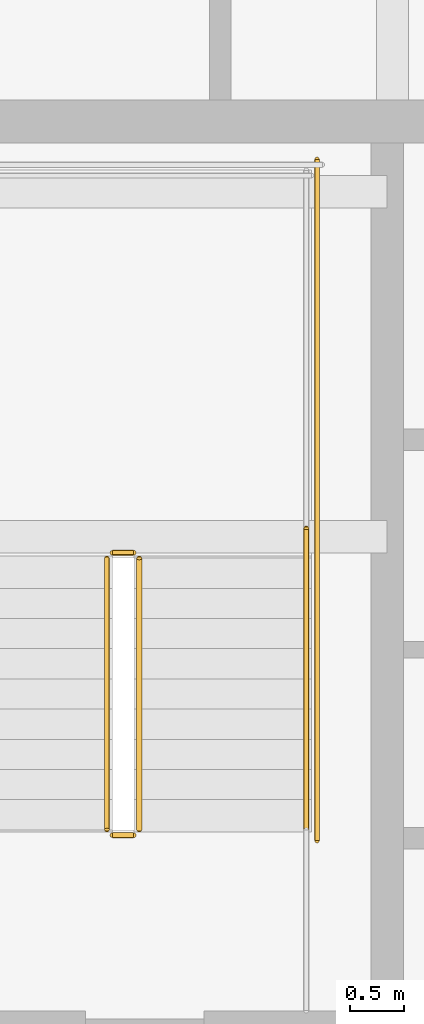
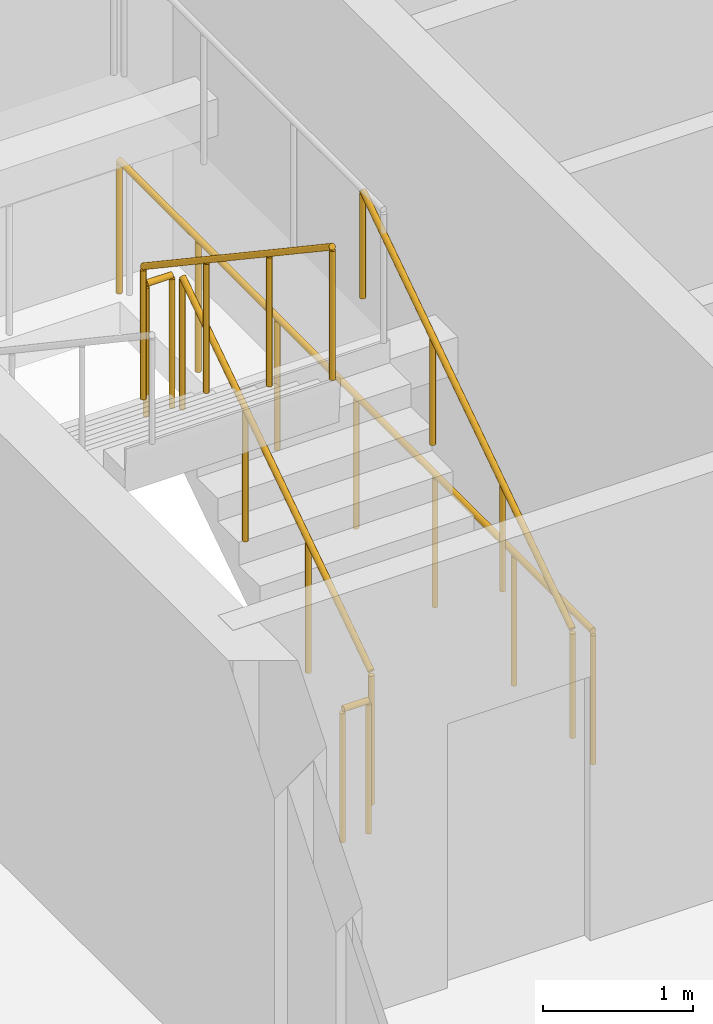
# One storey, part 32 of 35: 6 railings.
"""IFC4 building model written with IfcOpenShell, lengths in metres."""

from ifc_helpers import new_model, si_unit, direction, frame, origin, origin_2d, place, context, subcontext, project, spatial, circle, extrude, material, type_object, element, save


model = new_model("IFC4")

# Units and contexts
model_context = context("Model", 3, precision=1e-05, world=origin(), true_north=direction((0.0, 1.0)))
body_context = subcontext(model_context, "Body", "Model", "MODEL_VIEW")
ifc_project = project(units=[si_unit("LENGTHUNIT", "METRE"), si_unit("AREAUNIT", "SQUARE_METRE"), si_unit("VOLUMEUNIT", "CUBIC_METRE"), si_unit("PLANEANGLEUNIT", "RADIAN"), si_unit("MASSUNIT", "GRAM", prefix="KILO")], contexts=[model_context])

# Site, building, storey
site_placement = place(None, origin())
site = spatial("IfcSite", under=ifc_project, at=site_placement, CompositionType="ELEMENT")
building_placement = place(site_placement, origin())
building = spatial("IfcBuilding", under=site, at=building_placement, Name="Serunith Strait Residences", CompositionType="ELEMENT")
storey_placement = place(building_placement, frame((0.0, 0.0, 172.64990234375)))
storey = spatial("IfcBuildingStorey", under=building, at=storey_placement, Name="L43", CompositionType="ELEMENT", Elevation=172.64990234375)

# Railings
ifc_material = material(Name="Brushed stainless steel 316L", Category="steel")
railing_type_1 = type_object("IfcRailingType", Name="RLG-STAIR-GUARD", PredefinedType="BALUSTRADE", material=ifc_material)
railing_1_placement = place(storey_placement, frame((25.550048828125, 27.030029296875, 0.1875)))
element("IfcRailing", 1, at=railing_1_placement, inside=storey, type_object=railing_type_1, Name="L43 ST-1 stair guard 1", PredefinedType="BALUSTRADE", context=body_context, shape_type="SweptSolid", body=[
    extrude(circle(Radius=0.02392578125, at=origin_2d()), frame((0.0, 0.001708984375, 1.0771484375), z_axis=(0.0, 0.830909170722, 0.55640807867), x_axis=(-1.0, 0.0, 0.0)), (0.0, 0.0, 1.0), 3.02880859375),
    extrude(circle(Radius=0.02099609375, at=origin_2d()), origin(), (0.0, 0.0, 1.0), 1.050048828125),
    extrude(circle(Radius=0.02099609375, at=origin_2d()), frame((0.0, 0.840087890625, 0.5625)), (0.0, 0.0, 1.0), 1.050048828125),
    extrude(circle(Radius=0.02099609375, at=origin_2d()), frame((0.0, 1.679931640625, 1.125)), (0.0, 0.0, 1.0), 1.050048828125),
    extrude(circle(Radius=0.02099609375, at=origin_2d()), frame((0.0, 2.52001953125, 1.6875)), (0.0, 0.0, 1.0), 1.050048828125),
])
railing_2_placement = place(storey_placement, frame((25.5, 29.60009765625, 1.875)))
element("IfcRailing", 2, at=railing_2_placement, inside=storey, type_object=railing_type_1, Name="L43 ST-1 stair guard 2", PredefinedType="BALUSTRADE", context=body_context, shape_type="SweptSolid", body=[
    extrude(circle(Radius=0.02392578125, at=origin_2d()), frame((-0.001953125, 0.0, 1.076171875), z_axis=(-1.0, 0.0, 0.0), x_axis=(0.0, -1.0, 0.0)), (0.0, 0.0, 1.0), 0.196044921875),
    extrude(circle(Radius=0.02099609375, at=origin_2d()), origin(), (0.0, 0.0, 1.0), 1.050048828125),
    extrude(circle(Radius=0.02099609375, at=origin_2d()), frame((-0.199951171875, 0.0, 0.0)), (0.0, 0.0, 1.0), 1.050048828125),
])
railing_3_placement = place(storey_placement, frame((25.25, 29.550048828125, 2.0625)))
element("IfcRailing", 3, at=railing_3_placement, inside=storey, type_object=railing_type_1, Name="L43 ST-1 stair guard 6", PredefinedType="BALUSTRADE", context=body_context, shape_type="SweptSolid", body=[
    extrude(circle(Radius=0.02392578125, at=origin_2d()), frame((0.0, -0.001708984375, 1.0771484375), z_axis=(0.0, -0.830909170722, 0.55640807867), x_axis=(1.0, 0.0, 0.0)), (0.0, 0.0, 1.0), 3.02880859375),
    extrude(circle(Radius=0.02099609375, at=origin_2d()), origin(), (0.0, 0.0, 1.0), 1.050048828125),
    extrude(circle(Radius=0.02099609375, at=origin_2d()), frame((0.0, -0.840087890625, 0.5625)), (0.0, 0.0, 1.0), 1.050048828125),
    extrude(circle(Radius=0.02099609375, at=origin_2d()), frame((0.0, -1.679931640625, 1.125)), (0.0, 0.0, 1.0), 1.050048828125),
    extrude(circle(Radius=0.02099609375, at=origin_2d()), frame((0.0, -2.52001953125, 1.6875)), (0.0, 0.0, 1.0), 1.050048828125),
])
railing_4_placement = place(storey_placement, frame((25.5, 26.97998046875, 0.0)))
element("IfcRailing", 4, at=railing_4_placement, inside=storey, type_object=railing_type_1, Name="L43 ST-1 stair guard 7", PredefinedType="BALUSTRADE", context=body_context, shape_type="SweptSolid", body=[
    extrude(circle(Radius=0.02392578125, at=origin_2d()), frame((-0.001953125, 0.0, 1.076171875), z_axis=(-1.0, 0.0, 0.0), x_axis=(0.0, -1.0, 0.0)), (0.0, 0.0, 1.0), 0.196044921875),
    extrude(circle(Radius=0.02099609375, at=origin_2d()), origin(), (0.0, 0.0, 1.0), 1.050048828125),
    extrude(circle(Radius=0.02099609375, at=origin_2d()), frame((-0.199951171875, 0.0, 0.0)), (0.0, 0.0, 1.0), 1.050048828125),
])
railing_5_placement = place(storey_placement, frame((27.199951171875, 26.929931640625, 0.0)))
element("IfcRailing", 5, at=railing_5_placement, inside=storey, type_object=railing_type_1, Name="L43 ST-1 stair guard 10", PredefinedType="BALUSTRADE", context=body_context, shape_type="SweptSolid", body=[
    extrude(circle(Radius=0.02392578125, at=origin_2d()), frame((0.0, 0.001953125, 1.076171875), z_axis=(0.0, 1.0, 0.0), x_axis=(-1.0, 0.0, 0.0)), (0.0, 0.0, 1.0), 6.316162109375),
    extrude(circle(Radius=0.02099609375, at=origin_2d()), origin(), (0.0, 0.0, 1.0), 1.050048828125),
    extrude(circle(Radius=0.02099609375, at=origin_2d()), frame((0.0, 1.05322265625, 0.0)), (0.0, 0.0, 1.0), 1.050048828125),
    extrude(circle(Radius=0.02099609375, at=origin_2d()), frame((0.0, 2.106689453125, 0.0)), (0.0, 0.0, 1.0), 1.050048828125),
    extrude(circle(Radius=0.02099609375, at=origin_2d()), frame((0.0, 3.16015625, 0.0)), (0.0, 0.0, 1.0), 1.050048828125),
    extrude(circle(Radius=0.02099609375, at=origin_2d()), frame((0.0, 4.21337890625, 0.0)), (0.0, 0.0, 1.0), 1.050048828125),
    extrude(circle(Radius=0.02099609375, at=origin_2d()), frame((0.0, 5.2666015625, 0.0)), (0.0, 0.0, 1.0), 1.050048828125),
    extrude(circle(Radius=0.02099609375, at=origin_2d()), frame((0.0, 6.320068359375, 0.0)), (0.0, 0.0, 1.0), 1.050048828125),
])
railing_type_2 = type_object("IfcRailingType", Name="RLG-STAIR-HR", PredefinedType="HANDRAIL", material=ifc_material)
railing_6_placement = place(storey_placement, frame((27.10009765625, 27.030029296875, 0.1875)))
element("IfcRailing", 6, at=railing_6_placement, inside=storey, type_object=railing_type_2, Name="L43 ST-1 stair handrail 1", PredefinedType="HANDRAIL", context=body_context, shape_type="SweptSolid", body=[
    extrude(circle(Radius=0.02392578125, at=origin_2d()), frame((0.0, 0.001708984375, 0.876953125), z_axis=(0.0, 0.830208209119, 0.557453432594), x_axis=(-1.0, 0.0, 0.0)), (0.0, 0.0, 1.0), 3.36865234375),
    extrude(circle(Radius=0.02099609375, at=origin_2d()), origin(), (0.0, 0.0, 1.0), 0.849853515625),
    extrude(circle(Radius=0.02099609375, at=origin_2d()), frame((0.0, 0.933349609375, 0.626708984375)), (0.0, 0.0, 1.0), 0.849853515625),
    extrude(circle(Radius=0.02099609375, at=origin_2d()), frame((0.0, 1.86669921875, 1.25341796875)), (0.0, 0.0, 1.0), 0.849853515625),
    extrude(circle(Radius=0.02099609375, at=origin_2d()), frame((0.0, 2.800048828125, 1.880126953125)), (0.0, 0.0, 1.0), 0.849853515625),
])

save(model, "model.ifc")
